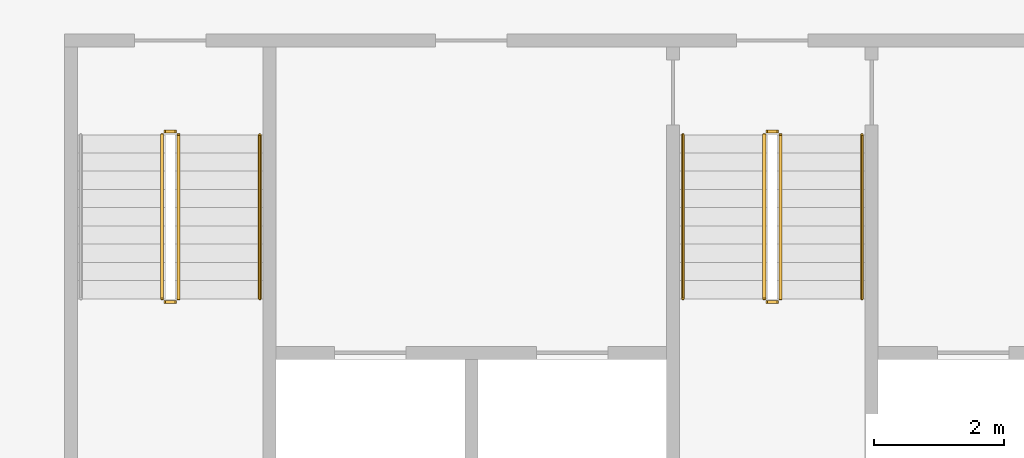
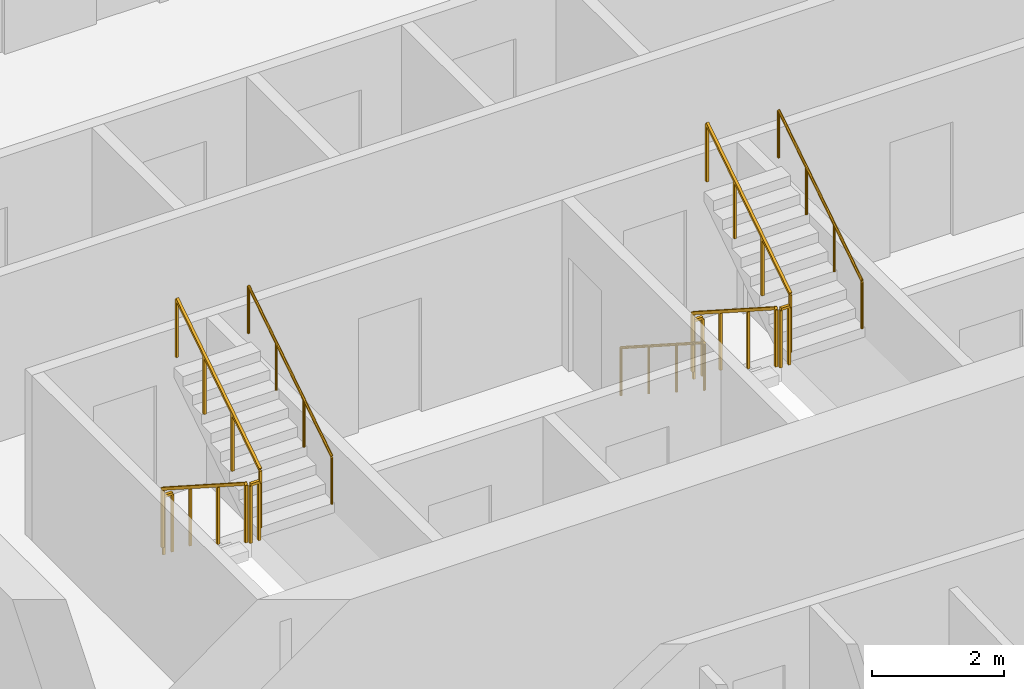
# One storey, part 15 of 17: 11 railings.
"""IFC4 building model written with IfcOpenShell, lengths in metres."""

from ifc_helpers import new_model, si_unit, direction, frame, origin, origin_2d, place, context, subcontext, project, spatial, rectangle, circle, extrude, material, type_object, element, save


model = new_model("IFC4")

# Units and contexts
model_context = context("Model", 3, precision=1e-05, world=origin(), true_north=direction((0.0, 1.0)))
body_context = subcontext(model_context, "Body", "Model", "MODEL_VIEW")
ifc_project = project(units=[si_unit("LENGTHUNIT", "METRE"), si_unit("AREAUNIT", "SQUARE_METRE"), si_unit("VOLUMEUNIT", "CUBIC_METRE"), si_unit("PLANEANGLEUNIT", "RADIAN"), si_unit("MASSUNIT", "GRAM", prefix="KILO")], contexts=[model_context])

# Site, building, storey
site_placement = place(None, origin())
site = spatial("IfcSite", under=ifc_project, at=site_placement, CompositionType="ELEMENT")
building_placement = place(site_placement, origin())
building = spatial("IfcBuilding", under=site, at=building_placement, Name="Mangrove Gate Tower", CompositionType="ELEMENT")
storey_placement = place(building_placement, frame((0.0, 0.0, 264.5)))
storey = spatial("IfcBuildingStorey", under=building, at=storey_placement, Name="L67", CompositionType="ELEMENT", Elevation=264.5)

# Railings
ifc_material_1 = material(Name="Stainless steel 316", Category="steel")
railing_type_1 = type_object("IfcRailingType", Name="Core stair guard 1100", PredefinedType="GUARDRAIL", material=ifc_material_1)
railing_1_placement = place(storey_placement, frame((-9.39990234375, -4.64990234375, 0.179931640625)))
element("IfcRailing", 1, at=railing_1_placement, inside=storey, type_object=railing_type_1, Name="L67 ST1 stair guard 1", PredefinedType="GUARDRAIL", context=body_context, shape_type="SweptSolid", body=[
    extrude(rectangle(XDim=0.048095703125, YDim=0.048095703125, at=origin_2d()), frame((0.0, 0.0, 1.076171875), z_axis=(0.0, -0.841162588446, 0.540782303519), x_axis=(1.0, 0.0, 0.0)), (0.0, 0.0, 1.0), 2.995849609375),
    extrude(rectangle(XDim=0.0419921875, YDim=0.0419921875, at=origin_2d()), origin(), (0.0, 0.0, 1.0), 1.052001953125),
    extrude(rectangle(XDim=0.0419921875, YDim=0.0419921875, at=origin_2d()), frame((0.0, -0.840087890625, 0.5400390625)), (0.0, 0.0, 1.0), 1.052001953125),
    extrude(rectangle(XDim=0.0419921875, YDim=0.0419921875, at=origin_2d()), frame((0.0, -1.679931640625, 1.080078125)), (0.0, 0.0, 1.0), 1.052001953125),
    extrude(rectangle(XDim=0.0419921875, YDim=0.0419921875, at=origin_2d()), frame((0.0, -2.52001953125, 1.6201171875)), (0.0, 0.0, 1.0), 1.052001953125),
])
railing_2_placement = place(storey_placement, frame((-9.35009765625, -7.219970703125, 1.800048828125)))
element("IfcRailing", 2, at=railing_2_placement, inside=storey, type_object=railing_type_1, Name="L67 ST1 stair guard 2", PredefinedType="GUARDRAIL", context=body_context, shape_type="SweptSolid", body=[
    extrude(rectangle(XDim=0.048095703125, YDim=0.048095703125, at=origin_2d()), frame((0.0, 0.0, 1.076171875), z_axis=(1.0, 0.0, 0.0), x_axis=(0.0, 1.0, 0.0)), (0.0, 0.0, 1.0), 0.150146484375),
    extrude(rectangle(XDim=0.0419921875, YDim=0.0419921875, at=origin_2d()), origin(), (0.0, 0.0, 1.0), 1.052001953125),
    extrude(rectangle(XDim=0.0419921875, YDim=0.0419921875, at=origin_2d()), frame((0.150146484375, 0.0, 0.0)), (0.0, 0.0, 1.0), 1.052001953125),
])
railing_3_placement = place(storey_placement, frame((-9.14990234375, -7.169921875, 1.97998046875)))
element("IfcRailing", 3, at=railing_3_placement, inside=storey, type_object=railing_type_1, Name="L67 ST1 stair guard 3", PredefinedType="GUARDRAIL", context=body_context, shape_type="SweptSolid", body=[
    extrude(rectangle(XDim=0.048095703125, YDim=0.048095703125, at=origin_2d()), frame((0.0, 0.0, 1.076171875), z_axis=(0.0, 0.841162588446, 0.540782303519), x_axis=(-1.0, 0.0, 0.0)), (0.0, 0.0, 1.0), 2.995849609375),
    extrude(rectangle(XDim=0.0419921875, YDim=0.0419921875, at=origin_2d()), origin(), (0.0, 0.0, 1.0), 1.052001953125),
    extrude(rectangle(XDim=0.0419921875, YDim=0.0419921875, at=origin_2d()), frame((0.0, 0.840087890625, 0.5400390625)), (0.0, 0.0, 1.0), 1.052001953125),
    extrude(rectangle(XDim=0.0419921875, YDim=0.0419921875, at=origin_2d()), frame((0.0, 1.679931640625, 1.080078125)), (0.0, 0.0, 1.0), 1.052001953125),
    extrude(rectangle(XDim=0.0419921875, YDim=0.0419921875, at=origin_2d()), frame((0.0, 2.52001953125, 1.6201171875)), (0.0, 0.0, 1.0), 1.052001953125),
])
railing_4_placement = place(storey_placement, frame((-9.35009765625, -4.60009765625, 0.0)))
element("IfcRailing", 4, at=railing_4_placement, inside=storey, type_object=railing_type_1, Name="L67 ST1 stair guard 4", PredefinedType="GUARDRAIL", context=body_context, shape_type="SweptSolid", body=[
    extrude(rectangle(XDim=0.048095703125, YDim=0.048095703125, at=origin_2d()), frame((0.0, 0.0, 1.076171875), z_axis=(1.0, 0.0, 0.0), x_axis=(0.0, 1.0, 0.0)), (0.0, 0.0, 1.0), 0.150146484375),
    extrude(rectangle(XDim=0.0419921875, YDim=0.0419921875, at=origin_2d()), origin(), (0.0, 0.0, 1.0), 1.052001953125),
    extrude(rectangle(XDim=0.0419921875, YDim=0.0419921875, at=origin_2d()), frame((0.150146484375, 0.0, 0.0)), (0.0, 0.0, 1.0), 1.052001953125),
])
railing_5_placement = place(storey_placement, frame((-0.14990234375, -4.64990234375, 0.179931640625)))
element("IfcRailing", 5, at=railing_5_placement, inside=storey, type_object=railing_type_1, Name="L67 ST2 stair guard 1", PredefinedType="GUARDRAIL", context=body_context, shape_type="SweptSolid", body=[
    extrude(rectangle(XDim=0.048095703125, YDim=0.048095703125, at=origin_2d()), frame((0.0, 0.0, 1.076171875), z_axis=(0.0, -0.841162588446, 0.540782303519), x_axis=(1.0, 0.0, 0.0)), (0.0, 0.0, 1.0), 2.995849609375),
    extrude(rectangle(XDim=0.0419921875, YDim=0.0419921875, at=origin_2d()), origin(), (0.0, 0.0, 1.0), 1.052001953125),
    extrude(rectangle(XDim=0.0419921875, YDim=0.0419921875, at=origin_2d()), frame((0.0, -0.840087890625, 0.5400390625)), (0.0, 0.0, 1.0), 1.052001953125),
    extrude(rectangle(XDim=0.0419921875, YDim=0.0419921875, at=origin_2d()), frame((0.0, -1.679931640625, 1.080078125)), (0.0, 0.0, 1.0), 1.052001953125),
    extrude(rectangle(XDim=0.0419921875, YDim=0.0419921875, at=origin_2d()), frame((0.0, -2.52001953125, 1.6201171875)), (0.0, 0.0, 1.0), 1.052001953125),
])
railing_6_placement = place(storey_placement, frame((-0.10009765625, -7.219970703125, 1.800048828125)))
element("IfcRailing", 6, at=railing_6_placement, inside=storey, type_object=railing_type_1, Name="L67 ST2 stair guard 2", PredefinedType="GUARDRAIL", context=body_context, shape_type="SweptSolid", body=[
    extrude(rectangle(XDim=0.048095703125, YDim=0.048095703125, at=origin_2d()), frame((0.0, 0.0, 1.076171875), z_axis=(1.0, 0.0, 0.0), x_axis=(0.0, 1.0, 0.0)), (0.0, 0.0, 1.0), 0.150146484375),
    extrude(rectangle(XDim=0.0419921875, YDim=0.0419921875, at=origin_2d()), origin(), (0.0, 0.0, 1.0), 1.052001953125),
    extrude(rectangle(XDim=0.0419921875, YDim=0.0419921875, at=origin_2d()), frame((0.150146484375, 0.0, 0.0)), (0.0, 0.0, 1.0), 1.052001953125),
])
railing_7_placement = place(storey_placement, frame((0.10009765625, -7.169921875, 1.97998046875)))
element("IfcRailing", 7, at=railing_7_placement, inside=storey, type_object=railing_type_1, Name="L67 ST2 stair guard 3", PredefinedType="GUARDRAIL", context=body_context, shape_type="SweptSolid", body=[
    extrude(rectangle(XDim=0.048095703125, YDim=0.048095703125, at=origin_2d()), frame((0.0, 0.0, 1.076171875), z_axis=(0.0, 0.841162588446, 0.540782303519), x_axis=(-1.0, 0.0, 0.0)), (0.0, 0.0, 1.0), 2.995849609375),
    extrude(rectangle(XDim=0.0419921875, YDim=0.0419921875, at=origin_2d()), origin(), (0.0, 0.0, 1.0), 1.052001953125),
    extrude(rectangle(XDim=0.0419921875, YDim=0.0419921875, at=origin_2d()), frame((0.0, 0.840087890625, 0.5400390625)), (0.0, 0.0, 1.0), 1.052001953125),
    extrude(rectangle(XDim=0.0419921875, YDim=0.0419921875, at=origin_2d()), frame((0.0, 1.679931640625, 1.080078125)), (0.0, 0.0, 1.0), 1.052001953125),
    extrude(rectangle(XDim=0.0419921875, YDim=0.0419921875, at=origin_2d()), frame((0.0, 2.52001953125, 1.6201171875)), (0.0, 0.0, 1.0), 1.052001953125),
])
railing_8_placement = place(storey_placement, frame((-0.10009765625, -4.60009765625, 0.0)))
element("IfcRailing", 8, at=railing_8_placement, inside=storey, type_object=railing_type_1, Name="L67 ST2 stair guard 4", PredefinedType="GUARDRAIL", context=body_context, shape_type="SweptSolid", body=[
    extrude(rectangle(XDim=0.048095703125, YDim=0.048095703125, at=origin_2d()), frame((0.0, 0.0, 1.076171875), z_axis=(1.0, 0.0, 0.0), x_axis=(0.0, 1.0, 0.0)), (0.0, 0.0, 1.0), 0.150146484375),
    extrude(rectangle(XDim=0.0419921875, YDim=0.0419921875, at=origin_2d()), origin(), (0.0, 0.0, 1.0), 1.052001953125),
    extrude(rectangle(XDim=0.0419921875, YDim=0.0419921875, at=origin_2d()), frame((0.150146484375, 0.0, 0.0)), (0.0, 0.0, 1.0), 1.052001953125),
])
ifc_material_2 = material(Name="Stainless steel 316", Category="steel")
railing_type_2 = type_object("IfcRailingType", Name="Core stair handrail 900", PredefinedType="HANDRAIL", material=ifc_material_2)
railing_9_placement = place(storey_placement, frame((-7.89990234375, -7.169921875, 1.97998046875)))
element("IfcRailing", 9, at=railing_9_placement, inside=storey, type_object=railing_type_2, Name="L67 ST1 stair handrail 2", PredefinedType="HANDRAIL", context=body_context, shape_type="SweptSolid", body=[
    extrude(circle(Radius=0.02392578125, at=origin_2d()), frame((0.0, 0.0, 0.8759765625), z_axis=(0.0, 0.841162588446, 0.540782303519), x_axis=(-1.0, 0.0, 0.0)), (0.0, 0.0, 1.0), 2.995849609375),
    extrude(circle(Radius=0.02099609375, at=origin_2d()), origin(), (0.0, 0.0, 1.0), 0.851806640625),
    extrude(circle(Radius=0.02099609375, at=origin_2d()), frame((0.0, 0.840087890625, 0.5400390625)), (0.0, 0.0, 1.0), 0.851806640625),
    extrude(circle(Radius=0.02099609375, at=origin_2d()), frame((0.0, 1.679931640625, 1.080078125)), (0.0, 0.0, 1.0), 0.851806640625),
    extrude(circle(Radius=0.02099609375, at=origin_2d()), frame((0.0, 2.52001953125, 1.6201171875)), (0.0, 0.0, 1.0), 0.851806640625),
])
railing_10_placement = place(storey_placement, frame((-1.39990234375, -4.64990234375, 0.179931640625)))
element("IfcRailing", 10, at=railing_10_placement, inside=storey, type_object=railing_type_2, Name="L67 ST2 stair handrail 1", PredefinedType="HANDRAIL", context=body_context, shape_type="SweptSolid", body=[
    extrude(circle(Radius=0.02392578125, at=origin_2d()), frame((0.0, 0.0, 0.8759765625), z_axis=(0.0, -0.841162588446, 0.540782303519), x_axis=(1.0, 0.0, 0.0)), (0.0, 0.0, 1.0), 2.995849609375),
    extrude(circle(Radius=0.02099609375, at=origin_2d()), origin(), (0.0, 0.0, 1.0), 0.851806640625),
    extrude(circle(Radius=0.02099609375, at=origin_2d()), frame((0.0, -0.840087890625, 0.5400390625)), (0.0, 0.0, 1.0), 0.851806640625),
    extrude(circle(Radius=0.02099609375, at=origin_2d()), frame((0.0, -1.679931640625, 1.080078125)), (0.0, 0.0, 1.0), 0.851806640625),
    extrude(circle(Radius=0.02099609375, at=origin_2d()), frame((0.0, -2.52001953125, 1.6201171875)), (0.0, 0.0, 1.0), 0.851806640625),
])
railing_11_placement = place(storey_placement, frame((1.35009765625, -7.169921875, 1.97998046875)))
element("IfcRailing", 11, at=railing_11_placement, inside=storey, type_object=railing_type_2, Name="L67 ST2 stair handrail 2", PredefinedType="HANDRAIL", context=body_context, shape_type="SweptSolid", body=[
    extrude(circle(Radius=0.02392578125, at=origin_2d()), frame((0.0, 0.0, 0.8759765625), z_axis=(0.0, 0.841162588446, 0.540782303519), x_axis=(-1.0, 0.0, 0.0)), (0.0, 0.0, 1.0), 2.995849609375),
    extrude(circle(Radius=0.02099609375, at=origin_2d()), origin(), (0.0, 0.0, 1.0), 0.851806640625),
    extrude(circle(Radius=0.02099609375, at=origin_2d()), frame((0.0, 0.840087890625, 0.5400390625)), (0.0, 0.0, 1.0), 0.851806640625),
    extrude(circle(Radius=0.02099609375, at=origin_2d()), frame((0.0, 1.679931640625, 1.080078125)), (0.0, 0.0, 1.0), 0.851806640625),
    extrude(circle(Radius=0.02099609375, at=origin_2d()), frame((0.0, 2.52001953125, 1.6201171875)), (0.0, 0.0, 1.0), 0.851806640625),
])

save(model, "model.ifc")
